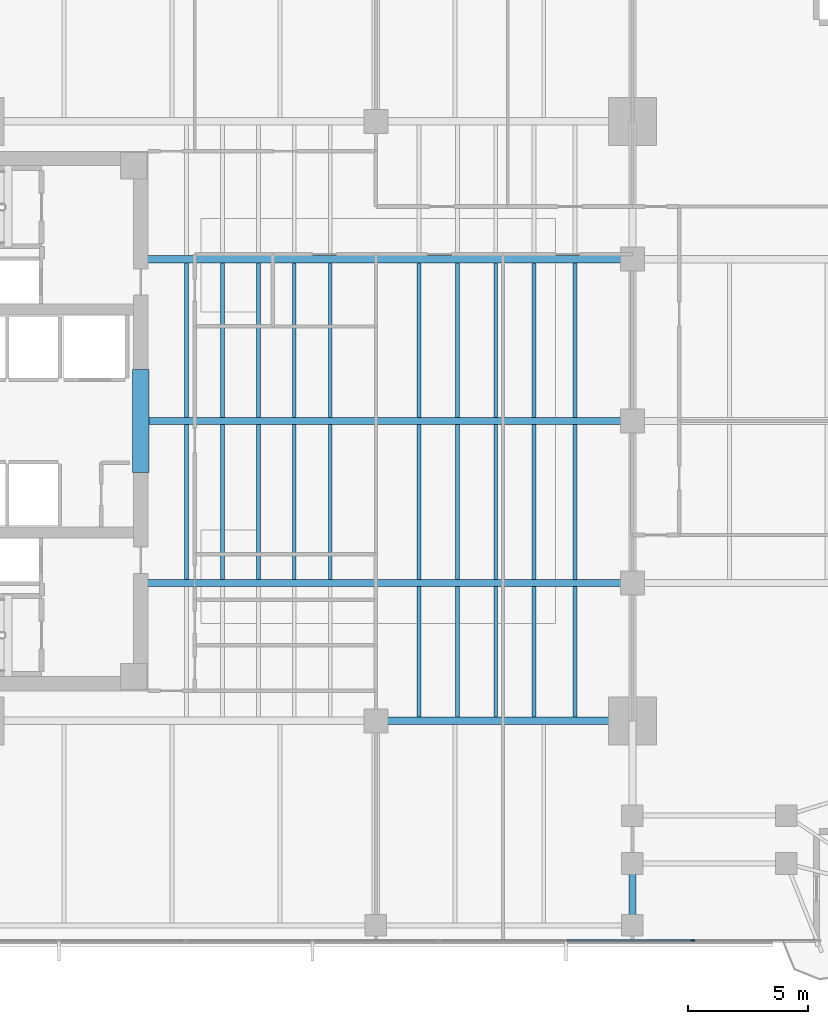
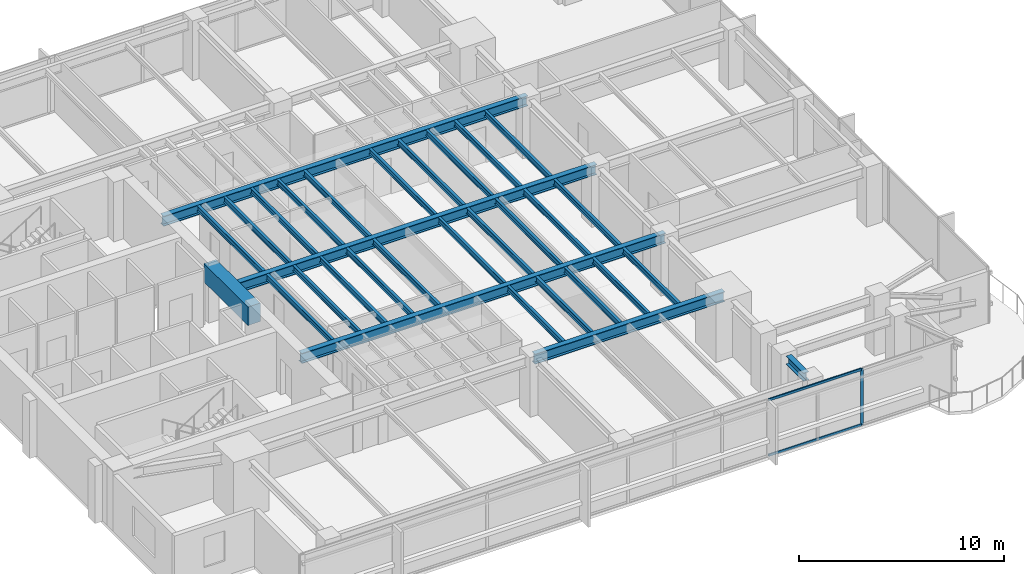
# One storey, part 3 of 14: 31 beams, 3 members, 1 element without a shape of its own.
"""IFC4 building model written with IfcOpenShell, lengths in metres."""

import ifcopenshell
import ifcopenshell.guid

model = None  # the IFC model being written
_history = None  # IfcOwnerHistory: only IFC2X3 demands one
_inside = {}  # id of a spatial element -> (the spatial element, [elements in it])
_under = {}  # id of a project, library or spatial element -> (it, [spatial elements below it])
_declared = {}  # id of a project -> (the project, [libraries it declares])
_typed = {}  # id of a type object -> (the type object, [elements of that type])
_made_of = {}  # id of a material, layer set ... -> (it, [elements and type objects made of it])


def new_model(schema):
    """Start an empty IFC model of exactly this schema.

    Asked for "IFC4X3", IfcOpenShell would pick the latest addendum, in which some entities
    have other attributes; the version numbers below select the first issue.
    IFC2X3 requires an IfcOwnerHistory on every rooted entity: one is made here for all.
    """
    global model, _history
    if schema == "IFC4X3":
        model = ifcopenshell.file(schema_version=(4, 3, 0, 0))
    else:
        model = ifcopenshell.file(schema=schema)
    _inside.clear()
    _under.clear()
    _declared.clear()
    _typed.clear()
    _made_of.clear()
    _history = None
    if model.schema == "IFC2X3":
        org = make("IfcOrganization", Name="unknown")
        user = make(
            "IfcPersonAndOrganization",
            ThePerson=make("IfcPerson", FamilyName="unknown"),
            TheOrganization=org,
        )
        app = make(
            "IfcApplication",
            ApplicationDeveloper=org,
            Version="unknown",
            ApplicationFullName="unknown",
            ApplicationIdentifier="unknown",
        )
        _history = make(
            "IfcOwnerHistory",
            OwningUser=user,
            OwningApplication=app,
            ChangeAction="ADDED",
            CreationDate=0,
        )
    return model


def make(cls, **values):
    """One entity of the class cls with the attributes given. An attribute that is None is left unset."""
    return model.create_entity(
        cls, **{name: value for name, value in values.items() if value is not None}
    )


def rooted(cls, **values):
    """An entity with a GlobalId (a new one), such as an element, a storey or a relation."""
    return make(cls, GlobalId=ifcopenshell.guid.new(), OwnerHistory=_history, **values)


def si_unit(unit_type, name, prefix=None):
    """IfcSIUnit, for example si_unit("LENGTHUNIT", "METRE", prefix="MILLI")."""
    return make("IfcSIUnit", UnitType=unit_type, Prefix=prefix, Name=name)


def assignment(units):
    """IfcUnitAssignment: the units of a project."""
    return None if units is None else make("IfcUnitAssignment", Units=units)


def point(xyz):
    """IfcCartesianPoint."""
    return None if xyz is None else make("IfcCartesianPoint", Coordinates=xyz)


def direction(xyz):
    """IfcDirection."""
    return None if xyz is None else make("IfcDirection", DirectionRatios=xyz)


def frame(location, z_axis=None, x_axis=None):
    """IfcAxis2Placement3D, a coordinate frame: its origin and axes. An axis left out is left unset."""
    return make(
        "IfcAxis2Placement3D",
        Location=point(location),
        Axis=direction(z_axis),
        RefDirection=direction(x_axis),
    )


def frame_2d(location, x_axis=None):
    """IfcAxis2Placement2D, a coordinate frame in the plane: its origin and x axis."""
    return make(
        "IfcAxis2Placement2D", Location=point(location), RefDirection=direction(x_axis)
    )


def origin():
    """The frame at (0, 0, 0) with its axes left unset."""
    return frame((0.0, 0.0, 0.0))


def origin_2d():
    """The frame at (0, 0) in the plane with its x axis left unset."""
    return frame_2d((0.0, 0.0))


def place(relative_to, where):
    """IfcLocalPlacement: puts the frame where relative to a parent placement (None: the world)."""
    return make(
        "IfcLocalPlacement", PlacementRelTo=relative_to, RelativePlacement=where
    )


def context(
    kind, dimensions, precision=None, world=None, true_north=None, identifier=None
):
    """IfcGeometricRepresentationContext, for example the 3D "Model" context."""
    return make(
        "IfcGeometricRepresentationContext",
        ContextIdentifier=identifier,
        ContextType=kind,
        CoordinateSpaceDimension=dimensions,
        Precision=precision,
        WorldCoordinateSystem=world,
        TrueNorth=true_north,
    )


def subcontext(parent, identifier, kind, view, scale=None):
    """IfcGeometricRepresentationSubContext, for example "Body" below "Model"."""
    return make(
        "IfcGeometricRepresentationSubContext",
        ContextIdentifier=identifier,
        ContextType=kind,
        ParentContext=parent,
        TargetScale=scale,
        TargetView=view,
    )


def project(units=None, contexts=None):
    """IfcProject with its units and contexts."""
    return rooted(
        "IfcProject",
        Name="project",
        RepresentationContexts=contexts,
        UnitsInContext=assignment(units),
    )


def spatial(cls, under=None, at=None, **own):
    """A site, building, storey or space (cls), placed at a placement, below another one or the project."""
    s = rooted(cls, ObjectPlacement=at, **own)
    if under is not None:
        _under.setdefault(under.id(), (under, []))[1].append(s)
    return s


def profile(cls, at=None, kind="AREA", **sizes):
    """A parametric profile (cls). Its sizes go by their IFC names, for example OverallWidth=200.0."""
    return make(cls, ProfileType=kind, Position=at, **sizes)


def rectangle(**sizes):
    """IfcRectangleProfileDef."""
    return profile("IfcRectangleProfileDef", **sizes)


def i_section(**sizes):
    """IfcIShapeProfileDef."""
    return profile("IfcIShapeProfileDef", **sizes)


def extrude(swept, where, along, depth):
    """IfcExtrudedAreaSolid: the profile swept, set in the frame where, extruded along a direction by depth."""
    return make(
        "IfcExtrudedAreaSolid",
        SweptArea=swept,
        Position=where,
        ExtrudedDirection=direction(along),
        Depth=depth,
    )


def shape(context_of_items, identifier, shape_type, items):
    """IfcShapeRepresentation: the items that make up one representation, for example the "Body"."""
    return make(
        "IfcShapeRepresentation",
        ContextOfItems=context_of_items,
        RepresentationIdentifier=identifier,
        RepresentationType=shape_type,
        Items=items,
    )


def material(Name=None, Category=None):
    """IfcMaterial."""
    return make("IfcMaterial", Name=Name, Category=Category)


def layer(
    of_material, thickness, ventilated=None, Name=None, Category=None, Priority=None
):
    """IfcMaterialLayer: one layer of a wall or slab, of a material (None: an air gap)."""
    return make(
        "IfcMaterialLayer",
        Material=of_material,
        LayerThickness=thickness,
        IsVentilated=ventilated,
        Name=Name,
        Category=Category,
        Priority=Priority,
    )


def layer_set(layers, Name=None):
    """IfcMaterialLayerSet."""
    return make("IfcMaterialLayerSet", MaterialLayers=layers, LayerSetName=Name)


def material_profile(
    of_material, cross_section, Name=None, Category=None, Priority=None
):
    """IfcMaterialProfile: a cross section and its material."""
    return make(
        "IfcMaterialProfile",
        Name=Name,
        Material=of_material,
        Profile=cross_section,
        Priority=Priority,
        Category=Category,
    )


def profile_set(profiles, Name=None, composite=None):
    """IfcMaterialProfileSet."""
    return make(
        "IfcMaterialProfileSet",
        Name=Name,
        MaterialProfiles=profiles,
        CompositeProfile=composite,
    )


def made_of(thing, what):
    """Note that an element or type object is made of a material, layer set ...; save() writes the relation."""
    if what is not None:
        _made_of.setdefault(what.id(), (what, []))[1].append(thing)
    return thing


def type_object(cls, material=None, **own):
    """A type object (cls), such as IfcWallType, which elements share."""
    return made_of(rooted(cls, **own), material)


def element(
    cls,
    number,
    at=None,
    inside=None,
    cuts=None,
    type_object=None,
    material=None,
    context=None,
    identifier="Body",
    shape_type=None,
    held_by="IfcProductDefinitionShape",
    body=None,
    shapes=None,
    **own,
):
    """One element of the class cls, such as IfcWall. Its Tag is "e" and its number.

    at: its placement. inside: the storey or other place that contains it. cuts: it is an
    opening in that element (IfcRelVoidsElement). A single representation is given by context,
    identifier, shape_type and body (its items); several are given by shapes. held_by: the class
    of the entity that holds the representations. save() writes the other relations.
    """
    e = rooted(cls, Tag="e%d" % number, ObjectPlacement=at, **own)
    if body is not None:
        shapes = [shape(context, identifier, shape_type, body)]
    if shapes is not None:
        e.Representation = make(held_by, Representations=shapes)
    if inside is not None:
        _inside.setdefault(inside.id(), (inside, []))[1].append(e)
    if cuts is not None:
        rooted(
            "IfcRelVoidsElement", RelatingBuildingElement=cuts, RelatedOpeningElement=e
        )
    if type_object is not None:
        _typed.setdefault(type_object.id(), (type_object, []))[1].append(e)
    return made_of(e, material)


def aggregate(whole, parts):
    """IfcRelAggregates: a whole, such as a stair, and the parts it consists of."""
    return rooted("IfcRelAggregates", RelatingObject=whole, RelatedObjects=parts)


def save(model, path):
    """Write the relations noted so far, then the file.

    IfcRelAggregates (storeys below a building ...), IfcRelContainedInSpatialStructure (elements
    in a storey), IfcRelDefinesByType, IfcRelAssociatesMaterial and IfcRelDeclares: one each for
    every whole, place, type object, material and project.
    """
    for whole, parts in _under.values():
        aggregate(whole, parts)
    for where, things in _inside.values():
        rooted(
            "IfcRelContainedInSpatialStructure",
            RelatedElements=things,
            RelatingStructure=where,
        )
    for kind, things in _typed.values():
        rooted("IfcRelDefinesByType", RelatedObjects=things, RelatingType=kind)
    for what, things in _made_of.values():
        rooted("IfcRelAssociatesMaterial", RelatedObjects=things, RelatingMaterial=what)
    for by, libraries in _declared.values():
        rooted("IfcRelDeclares", RelatingContext=by, RelatedDefinitions=libraries)
    model.write(path)


model = new_model("IFC4")

# Units and contexts
model_context = context("Model", 3, precision=1e-05, world=origin(), true_north=direction((0.0, 1.0)))
body_context = subcontext(model_context, "Body", "Model", "MODEL_VIEW")
ifc_project = project(units=[si_unit("LENGTHUNIT", "METRE"), si_unit("AREAUNIT", "SQUARE_METRE"), si_unit("VOLUMEUNIT", "CUBIC_METRE"), si_unit("PLANEANGLEUNIT", "RADIAN"), si_unit("MASSUNIT", "GRAM", prefix="KILO")], contexts=[model_context])

# Site, building, storey
site_placement = place(None, origin())
site = spatial("IfcSite", under=ifc_project, at=site_placement, CompositionType="ELEMENT")
building_placement = place(site_placement, origin())
building = spatial("IfcBuilding", under=site, at=building_placement, Name="Kinhvarn Gate Tower", CompositionType="ELEMENT")
storey_placement = place(building_placement, frame((0.0, 0.0, 123.550048828125)))
storey = spatial("IfcBuildingStorey", under=building, at=storey_placement, Name="L32", CompositionType="ELEMENT", Elevation=123.550048828125)

# Beam
ifc_material_1 = material(Name="Concrete C70/85", Category="concrete")
ifc_material_profile_1 = material_profile(ifc_material_1, rectangle(XDim=0.699951171875, YDim=1.10009765625, at=origin_2d()), Name="RC 700x1100")
ifc_profile_set_1 = profile_set([ifc_material_profile_1], Name="Concrete C70/85")
beam_type_1 = type_object("IfcBeamType", Name="BM-CB-1100", PredefinedType="LINTEL", material=ifc_profile_set_1)
beam_1_placement = place(storey_placement, frame((17.699951171875, 23.10009765625, 2.820068359375), z_axis=(0.0, 1.0, 0.0), x_axis=(-1.0, 0.0, 0.0)))
element("IfcBeam", 1, at=beam_1_placement, inside=storey, type_object=beam_type_1, Name="Core East Portal Coupling Beam L32", PredefinedType="LINTEL", context=body_context, shape_type="SweptSolid", body=[
    extrude(rectangle(XDim=0.699951171875, YDim=1.10009765625, at=origin_2d()), origin(), (0.0, 0.0, 1.0), 4.2998046875),
])

# Curtain wall, members
ifc_material_2 = material(Name="Anodised aluminium AW-6063", Category="aluminium")
ifc_layer = layer(ifc_material_2, 0.179931640625)
ifc_layer_set = layer_set([ifc_layer], Name="Anodised aluminium AW-6063")
curtain_wall_type = type_object("IfcCurtainWallType", Name="CW-SYS-3", PredefinedType="NOTDEFINED", material=ifc_layer_set)
curtain_wall_placement = place(storey_placement, origin())
curtain_wall = element("IfcCurtainWall", 2, at=curtain_wall_placement, inside=storey, type_object=curtain_wall_type, Name="Curtain Wall CW3 (L32)", PredefinedType="NOTDEFINED")
ifc_material_profile_2 = material_profile(ifc_material_2, rectangle(XDim=0.06494140625, YDim=0.159912109375, at=origin_2d()), Name="ALU 65x160")
ifc_profile_set_2 = profile_set([ifc_material_profile_2], Name="Anodised aluminium AW-6063")
member_type_1 = type_object("IfcMemberType", Name="CW-MUL-160", PredefinedType="MULLION", material=ifc_profile_set_2)
member_1_placement = place(storey_placement, frame((40.71435546875, 3.590087890625, 0.0), z_axis=(0.0, 0.0, 1.0), x_axis=(0.0, 1.0, 0.0)))
member_1 = element("IfcMember", 3, at=member_1_placement, type_object=member_type_1, Name="CW3 mullion 7", PredefinedType="MULLION", context=body_context, shape_type="SweptSolid", body=[
    extrude(rectangle(XDim=0.06494140625, YDim=0.159912109375, at=origin_2d()), origin(), (0.0, 0.0, 1.0), 3.369873046875),
])
ifc_material_profile_3 = material_profile(ifc_material_2, rectangle(XDim=0.070068359375, YDim=0.139892578125, at=origin_2d()), Name="ALU 70x140")
ifc_profile_set_3 = profile_set([ifc_material_profile_3], Name="Anodised aluminium AW-6063")
member_type_2 = type_object("IfcMemberType", Name="CW-TRN-140", PredefinedType="USERDEFINED", material=ifc_profile_set_3)
member_2_placement = place(storey_placement, frame((35.461181640625, 3.590087890625, 0.034912109375), z_axis=(1.0, 0.0, 0.0), x_axis=(0.0, 1.0, 0.0)))
member_2 = element("IfcMember", 4, at=member_2_placement, type_object=member_type_2, Name="CW3 transom 6.1", ObjectType="TRANSOM", PredefinedType="USERDEFINED", context=body_context, shape_type="SweptSolid", body=[
    extrude(rectangle(XDim=0.070068359375, YDim=0.139892578125, at=origin_2d()), origin(), (0.0, 0.0, 1.0), 5.220703125),
])
member_3_placement = place(storey_placement, frame((35.461181640625, 3.590087890625, 3.3349609375), z_axis=(1.0, 0.0, 0.0), x_axis=(0.0, 1.0, 0.0)))
member_3 = element("IfcMember", 5, at=member_3_placement, type_object=member_type_2, Name="CW3 transom 6.2", ObjectType="TRANSOM", PredefinedType="USERDEFINED", context=body_context, shape_type="SweptSolid", body=[
    extrude(rectangle(XDim=0.070068359375, YDim=0.139892578125, at=origin_2d()), origin(), (0.0, 0.0, 1.0), 5.220703125),
])
aggregate(curtain_wall, [member_1, member_2, member_3])

# Beams
ifc_material_3 = material(Name="Steel S355", Category="steel")
ifc_material_profile_4 = material_profile(ifc_material_3, i_section(OverallWidth=0.300048828125, OverallDepth=0.5, WebThickness=0.014404296875, FlangeThickness=0.028076171875, at=origin_2d()), Name="HEB 500")
ifc_profile_set_4 = profile_set([ifc_material_profile_4], Name="Steel S355")
beam_type_2 = type_object("IfcBeamType", Name="STL-HEB500", PredefinedType="BEAM", material=ifc_profile_set_4)
beam_2_placement = place(storey_placement, frame((38.199951171875, 4.655029296875, 3.119873046875), z_axis=(0.0, 1.0, 0.0), x_axis=(-1.0, 0.0, 0.0)))
element("IfcBeam", 6, at=beam_2_placement, inside=storey, type_object=beam_type_2, Name="Floor Beam PG-14 (L32 MCE-S-A0)", PredefinedType="BEAM", context=body_context, shape_type="SweptSolid", body=[
    extrude(i_section(OverallWidth=0.300048828125, OverallDepth=0.5, WebThickness=0.014404296875, FlangeThickness=0.028076171875, at=origin_2d()), origin(), (0.0, 0.0, 1.0), 1.7099609375),
])
ifc_material_profile_5 = material_profile(ifc_material_3, i_section(OverallWidth=0.300048828125, OverallDepth=0.60009765625, WebThickness=0.015380859375, FlangeThickness=0.030029296875, at=origin_2d()), Name="HEB 600")
ifc_profile_set_5 = profile_set([ifc_material_profile_5], Name="Steel S355")
beam_type_3 = type_object("IfcBeamType", Name="STL-HEB600", PredefinedType="BEAM", material=ifc_profile_set_5)
beam_3_placement = place(storey_placement, frame((27.5, 12.75, 3.070068359375), z_axis=(1.0, 0.0, 0.0), x_axis=(0.0, 1.0, 0.0)))
element("IfcBeam", 7, at=beam_3_placement, inside=storey, type_object=beam_type_3, Name="Floor Beam PG-16 (L32 MG-S2)", PredefinedType="BEAM", context=body_context, shape_type="SweptSolid", body=[
    extrude(i_section(OverallWidth=0.300048828125, OverallDepth=0.60009765625, WebThickness=0.015380859375, FlangeThickness=0.030029296875, at=origin_2d()), origin(), (0.0, 0.0, 1.0), 10.699951171875),
])
beam_4_placement = place(storey_placement, frame((17.64990234375, 18.5, 3.070068359375), z_axis=(1.0, 0.0, 0.0), x_axis=(0.0, 1.0, 0.0)))
element("IfcBeam", 8, at=beam_4_placement, inside=storey, type_object=beam_type_3, Name="Floor Beam PG-16 (L32 EW1-Y18)", PredefinedType="BEAM", context=body_context, shape_type="SweptSolid", body=[
    extrude(i_section(OverallWidth=0.300048828125, OverallDepth=0.60009765625, WebThickness=0.015380859375, FlangeThickness=0.030029296875, at=origin_2d()), origin(), (0.0, 0.0, 1.0), 20.550048828125),
])
beam_5_placement = place(storey_placement, frame((18.050048828125, 25.25, 3.070068359375), z_axis=(1.0, 0.0, 0.0), x_axis=(0.0, 1.0, 0.0)))
element("IfcBeam", 9, at=beam_5_placement, inside=storey, type_object=beam_type_3, Name="Floor Beam PG-16 (L32 EW1-Y25)", PredefinedType="BEAM", context=body_context, shape_type="SweptSolid", body=[
    extrude(i_section(OverallWidth=0.300048828125, OverallDepth=0.60009765625, WebThickness=0.015380859375, FlangeThickness=0.030029296875, at=origin_2d()), origin(), (0.0, 0.0, 1.0), 20.14990234375),
])
beam_6_placement = place(storey_placement, frame((17.64990234375, 32.0, 3.070068359375), z_axis=(1.0, 0.0, 0.0), x_axis=(0.0, 1.0, 0.0)))
element("IfcBeam", 10, at=beam_6_placement, inside=storey, type_object=beam_type_3, Name="Floor Beam PG-16 (L32 EW1-Y32)", PredefinedType="BEAM", context=body_context, shape_type="SweptSolid", body=[
    extrude(i_section(OverallWidth=0.300048828125, OverallDepth=0.60009765625, WebThickness=0.015380859375, FlangeThickness=0.030029296875, at=origin_2d()), origin(), (0.0, 0.0, 1.0), 20.550048828125),
])
ifc_material_profile_6 = material_profile(ifc_material_3, i_section(OverallWidth=0.159912109375, OverallDepth=0.330078125, WebThickness=0.007568359375, FlangeThickness=0.011474609375, at=origin_2d()), Name="IPE 330")
ifc_profile_set_6 = profile_set([ifc_material_profile_6], Name="Steel S355")
beam_type_4 = type_object("IfcBeamType", Name="STL-IPE330", PredefinedType="JOIST", material=ifc_profile_set_6)
for number, where, z_axis, x_axis, name in (
    (11, (19.60009765625, 18.64990234375, 3.204833984375), (0.0, 1.0, 0.0), (-1.0, 0.0, 0.0), "Floor Joist SB-03 (L32 JC-X196-1)"),
    (12, (19.60009765625, 25.39990234375, 3.204833984375), (0.0, 1.0, 0.0), (-1.0, 0.0, 0.0), "Floor Joist SB-03 (L32 JC-X196-2)"),
    (13, (21.10009765625, 18.64990234375, 3.204833984375), (0.0, 1.0, 0.0), (-1.0, 0.0, 0.0), "Floor Joist SB-03 (L32 JC-X211-1)"),
    (14, (21.10009765625, 25.39990234375, 3.204833984375), (0.0, 1.0, 0.0), (-1.0, 0.0, 0.0), "Floor Joist SB-03 (L32 JC-X211-2)"),
    (15, (22.60009765625, 18.64990234375, 3.204833984375), (0.0, 1.0, 0.0), (-1.0, 0.0, 0.0), "Floor Joist SB-03 (L32 JC-X226-1)"),
    (16, (22.60009765625, 25.39990234375, 3.204833984375), (0.0, 1.0, 0.0), (-1.0, 0.0, 0.0), "Floor Joist SB-03 (L32 JC-X226-2)"),
    (17, (24.10009765625, 18.64990234375, 3.204833984375), (0.0, 1.0, 0.0), (-1.0, 0.0, 0.0), "Floor Joist SB-03 (L32 JC-X241-1)"),
    (18, (24.10009765625, 25.39990234375, 3.204833984375), (0.0, 1.0, 0.0), (-1.0, 0.0, 0.0), "Floor Joist SB-03 (L32 JC-X241-2)"),
    (19, (25.60009765625, 18.64990234375, 3.204833984375), (0.0, 1.0, 0.0), (-1.0, 0.0, 0.0), "Floor Joist SB-03 (L32 JC-X256-1)"),
    (20, (25.60009765625, 25.39990234375, 3.204833984375), (0.0, 1.0, 0.0), (-1.0, 0.0, 0.0), "Floor Joist SB-03 (L32 JC-X256-2)"),
):
    element("IfcBeam", number, at=place(storey_placement, frame(where, z_axis=z_axis, x_axis=x_axis)), inside=storey, type_object=beam_type_4, Name=name, PredefinedType="JOIST", context=body_context, shape_type="SweptSolid", body=[
        extrude(i_section(OverallWidth=0.159912109375, OverallDepth=0.330078125, WebThickness=0.007568359375, FlangeThickness=0.011474609375, at=origin_2d()), origin(), (0.0, 0.0, 1.0), 6.4501953125),
    ])
beam_7_placement = place(storey_placement, frame((29.300048828125, 12.89990234375, 3.204833984375), z_axis=(0.0, 1.0, 0.0), x_axis=(-1.0, 0.0, 0.0)))
element("IfcBeam", 21, at=beam_7_placement, inside=storey, type_object=beam_type_4, Name="Floor Joist SB-03 (L32 JC-X293-0)", PredefinedType="JOIST", context=body_context, shape_type="SweptSolid", body=[
    extrude(i_section(OverallWidth=0.159912109375, OverallDepth=0.330078125, WebThickness=0.007568359375, FlangeThickness=0.011474609375, at=origin_2d()), origin(), (0.0, 0.0, 1.0), 5.4501953125),
])
for number, where, z_axis, x_axis, name in (
    (22, (29.300048828125, 18.64990234375, 3.204833984375), (0.0, 1.0, 0.0), (-1.0, 0.0, 0.0), "Floor Joist SB-03 (L32 JC-X293-1)"),
    (23, (29.300048828125, 25.39990234375, 3.204833984375), (0.0, 1.0, 0.0), (-1.0, 0.0, 0.0), "Floor Joist SB-03 (L32 JC-X293-2)"),
):
    element("IfcBeam", number, at=place(storey_placement, frame(where, z_axis=z_axis, x_axis=x_axis)), inside=storey, type_object=beam_type_4, Name=name, PredefinedType="JOIST", context=body_context, shape_type="SweptSolid", body=[
        extrude(i_section(OverallWidth=0.159912109375, OverallDepth=0.330078125, WebThickness=0.007568359375, FlangeThickness=0.011474609375, at=origin_2d()), origin(), (0.0, 0.0, 1.0), 6.4501953125),
    ])
beam_8_placement = place(storey_placement, frame((30.89990234375, 12.89990234375, 3.204833984375), z_axis=(0.0, 1.0, 0.0), x_axis=(-1.0, 0.0, 0.0)))
element("IfcBeam", 24, at=beam_8_placement, inside=storey, type_object=beam_type_4, Name="Floor Joist SB-03 (L32 JC-X309-0)", PredefinedType="JOIST", context=body_context, shape_type="SweptSolid", body=[
    extrude(i_section(OverallWidth=0.159912109375, OverallDepth=0.330078125, WebThickness=0.007568359375, FlangeThickness=0.011474609375, at=origin_2d()), origin(), (0.0, 0.0, 1.0), 5.4501953125),
])
for number, where, z_axis, x_axis, name in (
    (25, (30.89990234375, 18.64990234375, 3.204833984375), (0.0, 1.0, 0.0), (-1.0, 0.0, 0.0), "Floor Joist SB-03 (L32 JC-X309-1)"),
    (26, (30.89990234375, 25.39990234375, 3.204833984375), (0.0, 1.0, 0.0), (-1.0, 0.0, 0.0), "Floor Joist SB-03 (L32 JC-X309-2)"),
):
    element("IfcBeam", number, at=place(storey_placement, frame(where, z_axis=z_axis, x_axis=x_axis)), inside=storey, type_object=beam_type_4, Name=name, PredefinedType="JOIST", context=body_context, shape_type="SweptSolid", body=[
        extrude(i_section(OverallWidth=0.159912109375, OverallDepth=0.330078125, WebThickness=0.007568359375, FlangeThickness=0.011474609375, at=origin_2d()), origin(), (0.0, 0.0, 1.0), 6.4501953125),
    ])
beam_9_placement = place(storey_placement, frame((32.5, 12.89990234375, 3.204833984375), z_axis=(0.0, 1.0, 0.0), x_axis=(-1.0, 0.0, 0.0)))
element("IfcBeam", 27, at=beam_9_placement, inside=storey, type_object=beam_type_4, Name="Floor Joist SB-03 (L32 JC-X325-0)", PredefinedType="JOIST", context=body_context, shape_type="SweptSolid", body=[
    extrude(i_section(OverallWidth=0.159912109375, OverallDepth=0.330078125, WebThickness=0.007568359375, FlangeThickness=0.011474609375, at=origin_2d()), origin(), (0.0, 0.0, 1.0), 5.4501953125),
])
for number, where, z_axis, x_axis, name in (
    (28, (32.5, 18.64990234375, 3.204833984375), (0.0, 1.0, 0.0), (-1.0, 0.0, 0.0), "Floor Joist SB-03 (L32 JC-X325-1)"),
    (29, (32.5, 25.39990234375, 3.204833984375), (0.0, 1.0, 0.0), (-1.0, 0.0, 0.0), "Floor Joist SB-03 (L32 JC-X325-2)"),
):
    element("IfcBeam", number, at=place(storey_placement, frame(where, z_axis=z_axis, x_axis=x_axis)), inside=storey, type_object=beam_type_4, Name=name, PredefinedType="JOIST", context=body_context, shape_type="SweptSolid", body=[
        extrude(i_section(OverallWidth=0.159912109375, OverallDepth=0.330078125, WebThickness=0.007568359375, FlangeThickness=0.011474609375, at=origin_2d()), origin(), (0.0, 0.0, 1.0), 6.4501953125),
    ])
beam_10_placement = place(storey_placement, frame((34.10009765625, 12.89990234375, 3.204833984375), z_axis=(0.0, 1.0, 0.0), x_axis=(-1.0, 0.0, 0.0)))
element("IfcBeam", 30, at=beam_10_placement, inside=storey, type_object=beam_type_4, Name="Floor Joist SB-03 (L32 JC-X341-0)", PredefinedType="JOIST", context=body_context, shape_type="SweptSolid", body=[
    extrude(i_section(OverallWidth=0.159912109375, OverallDepth=0.330078125, WebThickness=0.007568359375, FlangeThickness=0.011474609375, at=origin_2d()), origin(), (0.0, 0.0, 1.0), 5.4501953125),
])
for number, where, z_axis, x_axis, name in (
    (31, (34.10009765625, 18.64990234375, 3.204833984375), (0.0, 1.0, 0.0), (-1.0, 0.0, 0.0), "Floor Joist SB-03 (L32 JC-X341-1)"),
    (32, (34.10009765625, 25.39990234375, 3.204833984375), (0.0, 1.0, 0.0), (-1.0, 0.0, 0.0), "Floor Joist SB-03 (L32 JC-X341-2)"),
):
    element("IfcBeam", number, at=place(storey_placement, frame(where, z_axis=z_axis, x_axis=x_axis)), inside=storey, type_object=beam_type_4, Name=name, PredefinedType="JOIST", context=body_context, shape_type="SweptSolid", body=[
        extrude(i_section(OverallWidth=0.159912109375, OverallDepth=0.330078125, WebThickness=0.007568359375, FlangeThickness=0.011474609375, at=origin_2d()), origin(), (0.0, 0.0, 1.0), 6.4501953125),
    ])
beam_11_placement = place(storey_placement, frame((35.800048828125, 12.89990234375, 3.204833984375), z_axis=(0.0, 1.0, 0.0), x_axis=(-1.0, 0.0, 0.0)))
element("IfcBeam", 33, at=beam_11_placement, inside=storey, type_object=beam_type_4, Name="Floor Joist SB-03 (L32 JC-X358-0)", PredefinedType="JOIST", context=body_context, shape_type="SweptSolid", body=[
    extrude(i_section(OverallWidth=0.159912109375, OverallDepth=0.330078125, WebThickness=0.007568359375, FlangeThickness=0.011474609375, at=origin_2d()), origin(), (0.0, 0.0, 1.0), 5.4501953125),
])
for number, where, z_axis, x_axis, name in (
    (34, (35.800048828125, 18.64990234375, 3.204833984375), (0.0, 1.0, 0.0), (-1.0, 0.0, 0.0), "Floor Joist SB-03 (L32 JC-X358-1)"),
    (35, (35.800048828125, 25.39990234375, 3.204833984375), (0.0, 1.0, 0.0), (-1.0, 0.0, 0.0), "Floor Joist SB-03 (L32 JC-X358-2)"),
):
    element("IfcBeam", number, at=place(storey_placement, frame(where, z_axis=z_axis, x_axis=x_axis)), inside=storey, type_object=beam_type_4, Name=name, PredefinedType="JOIST", context=body_context, shape_type="SweptSolid", body=[
        extrude(i_section(OverallWidth=0.159912109375, OverallDepth=0.330078125, WebThickness=0.007568359375, FlangeThickness=0.011474609375, at=origin_2d()), origin(), (0.0, 0.0, 1.0), 6.4501953125),
    ])

save(model, "model.ifc")
